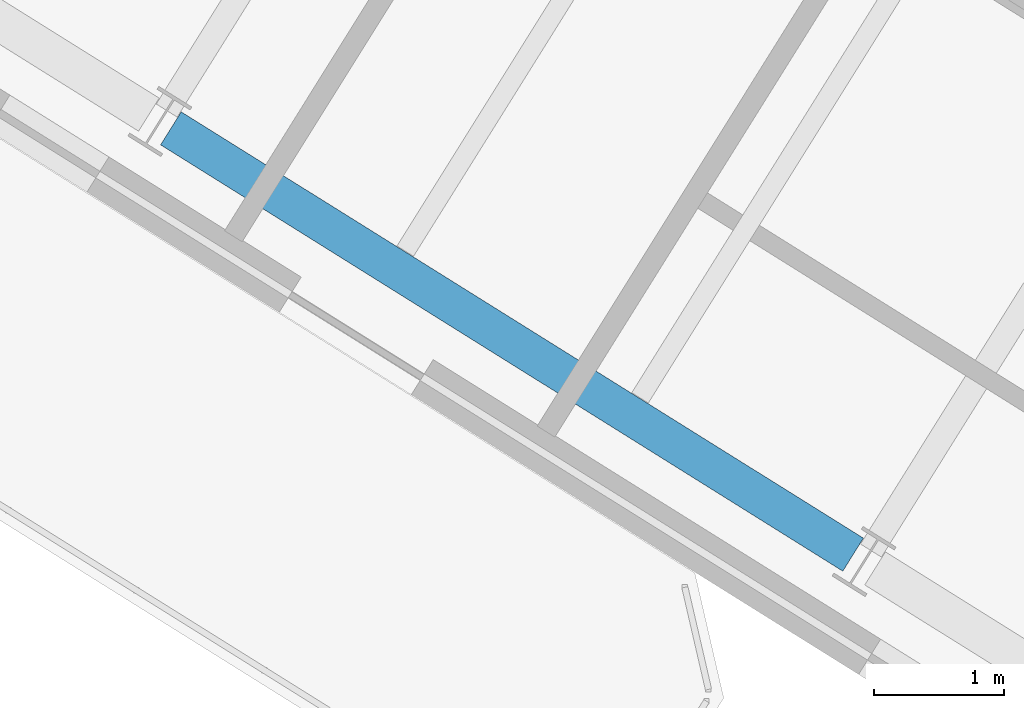
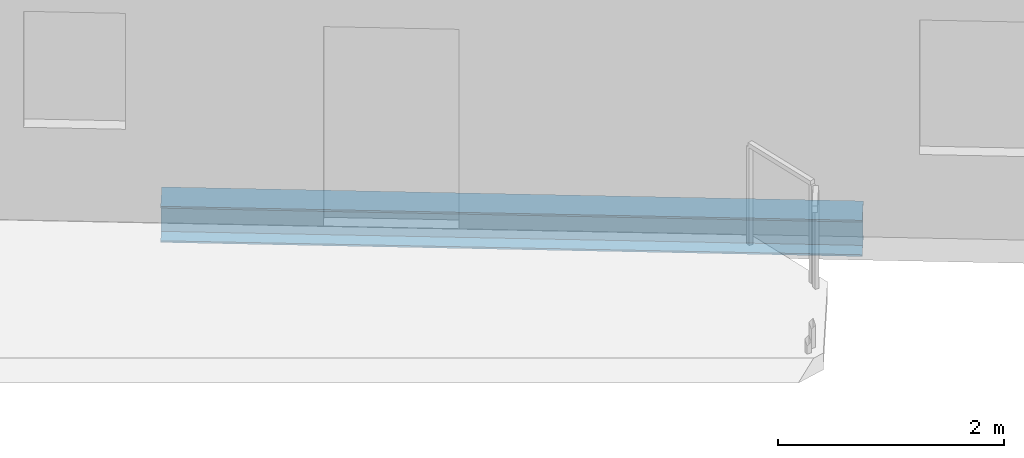
# One storey, part 5 of 29: 1 beam.
"""IFC4 building model written with IfcOpenShell, lengths in metres."""

from ifc_helpers import new_model, si_unit, direction, frame, origin, origin_2d, place, context, subcontext, project, spatial, i_section, extrude, source, transform, mapped, material, material_profile, profile_set, type_object, element, save


model = new_model("IFC4")

# Units and contexts
model_context = context("Model", 3, precision=1e-05, world=origin(), true_north=direction((0.0, 1.0)))
body_context = subcontext(model_context, "Body", "Model", "MODEL_VIEW")
ifc_project = project(units=[si_unit("LENGTHUNIT", "METRE"), si_unit("AREAUNIT", "SQUARE_METRE"), si_unit("VOLUMEUNIT", "CUBIC_METRE"), si_unit("PLANEANGLEUNIT", "RADIAN"), si_unit("MASSUNIT", "GRAM", prefix="KILO")], contexts=[model_context])

# Site, building, storey
site_placement = place(None, origin())
site = spatial("IfcSite", under=ifc_project, at=site_placement, CompositionType="ELEMENT")
building_placement = place(site_placement, origin())
building = spatial("IfcBuilding", under=site, at=building_placement, Name="Tlacorven Tower", CompositionType="ELEMENT")
storey_placement = place(building_placement, frame((0.0, 0.0, 238.5)))
storey = spatial("IfcBuildingStorey", under=building, at=storey_placement, Name="L60", CompositionType="ELEMENT", Elevation=238.5)

# Beam
ifc_material = material(Name="Steel S355J2", Category="steel")
ifc_material_profile = material_profile(ifc_material, i_section(OverallWidth=0.300048828125, OverallDepth=0.389892578125, WebThickness=0.010986328125, FlangeThickness=0.01904296875, at=origin_2d()), Name="HEA 400")
ifc_profile_set = profile_set([ifc_material_profile], Name="Steel S355J2")
beam_type = type_object("IfcBeamType", Name="BM-SPN-400", PredefinedType="SPANDREL", material=ifc_profile_set)
shared_shape = source(origin(), body_context, "Body", "SweptSolid", [
    extrude(i_section(OverallWidth=0.300048828125, OverallDepth=0.389892578125, WebThickness=0.010986328125, FlangeThickness=0.01904296875, at=origin_2d()), origin(), (0.0, 0.0, 1.0), 6.199951171875),
])
beam_placement = place(storey_placement, frame((18.82080078125, 13.6650390625, -0.445068359375), z_axis=(-0.848051394107, 0.529913986372, 0.0), x_axis=(-0.529913986372, -0.848051394107, 0.0)))
element("IfcBeam", 1, at=beam_placement, inside=storey, type_object=beam_type, Name="L60 beam BM-L60-WL4-3", PredefinedType="SPANDREL", context=body_context, shape_type="MappedRepresentation", body=[
    mapped(shared_shape, transform((0.0, 0.0, 0.0), scale=1.0)),
])

save(model, "model.ifc")
